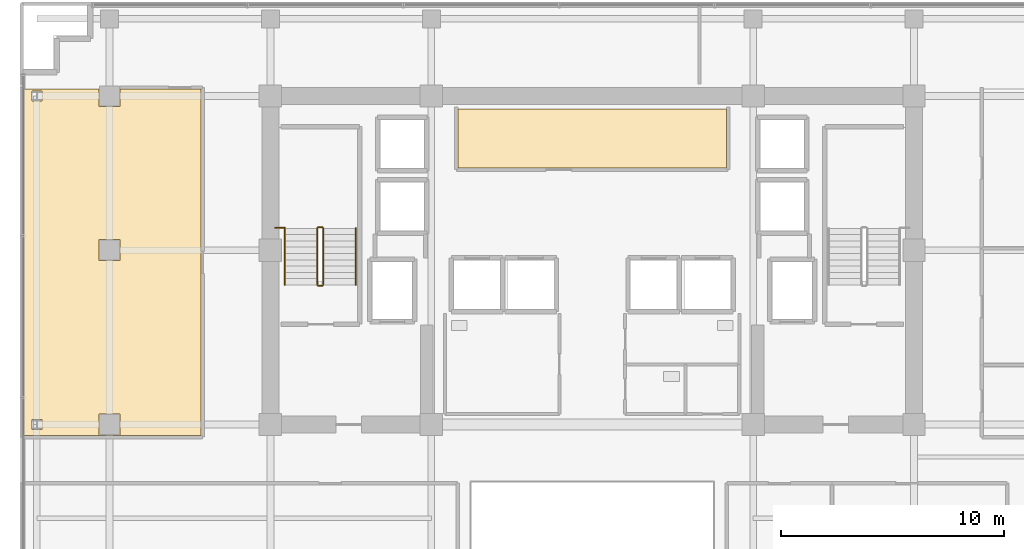
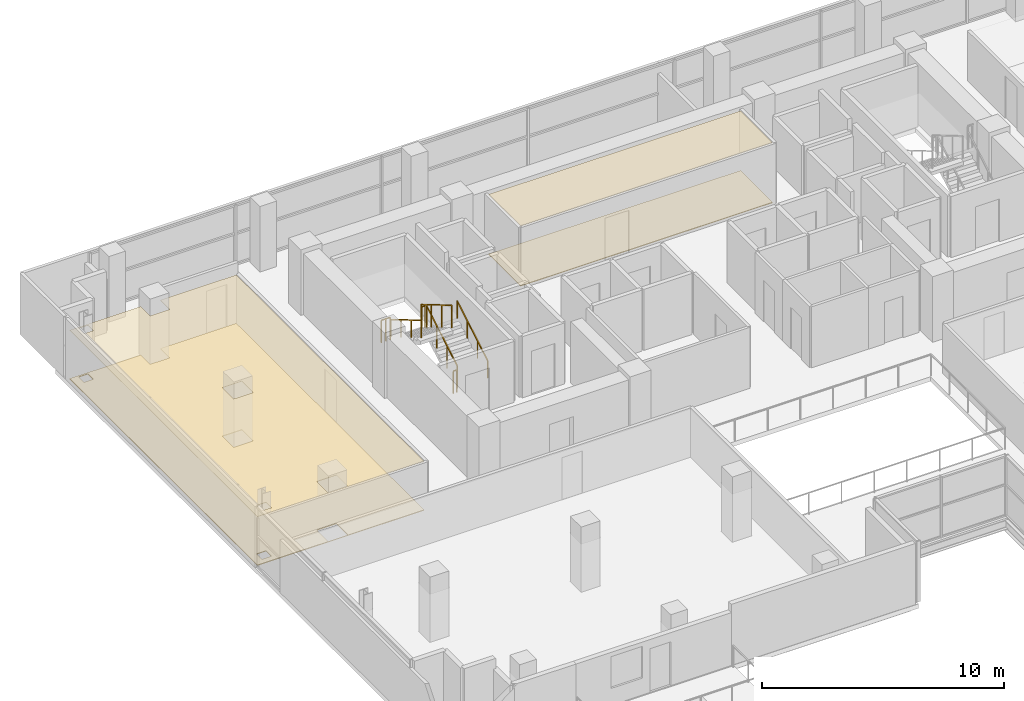
# One storey, part 22 of 25: 7 railings, 4 coverings.
"""IFC4 building model written with IfcOpenShell, lengths in metres."""

import ifcopenshell
import ifcopenshell.guid

model = None  # the IFC model being written
_history = None  # IfcOwnerHistory: only IFC2X3 demands one
_inside = {}  # id of a spatial element -> (the spatial element, [elements in it])
_under = {}  # id of a project, library or spatial element -> (it, [spatial elements below it])
_declared = {}  # id of a project -> (the project, [libraries it declares])
_typed = {}  # id of a type object -> (the type object, [elements of that type])
_made_of = {}  # id of a material, layer set ... -> (it, [elements and type objects made of it])


def new_model(schema):
    """Start an empty IFC model of exactly this schema.

    Asked for "IFC4X3", IfcOpenShell would pick the latest addendum, in which some entities
    have other attributes; the version numbers below select the first issue.
    IFC2X3 requires an IfcOwnerHistory on every rooted entity: one is made here for all.
    """
    global model, _history
    if schema == "IFC4X3":
        model = ifcopenshell.file(schema_version=(4, 3, 0, 0))
    else:
        model = ifcopenshell.file(schema=schema)
    _inside.clear()
    _under.clear()
    _declared.clear()
    _typed.clear()
    _made_of.clear()
    _history = None
    if model.schema == "IFC2X3":
        org = make("IfcOrganization", Name="unknown")
        user = make(
            "IfcPersonAndOrganization",
            ThePerson=make("IfcPerson", FamilyName="unknown"),
            TheOrganization=org,
        )
        app = make(
            "IfcApplication",
            ApplicationDeveloper=org,
            Version="unknown",
            ApplicationFullName="unknown",
            ApplicationIdentifier="unknown",
        )
        _history = make(
            "IfcOwnerHistory",
            OwningUser=user,
            OwningApplication=app,
            ChangeAction="ADDED",
            CreationDate=0,
        )
    return model


def make(cls, **values):
    """One entity of the class cls with the attributes given. An attribute that is None is left unset."""
    return model.create_entity(
        cls, **{name: value for name, value in values.items() if value is not None}
    )


def rooted(cls, **values):
    """An entity with a GlobalId (a new one), such as an element, a storey or a relation."""
    return make(cls, GlobalId=ifcopenshell.guid.new(), OwnerHistory=_history, **values)


def si_unit(unit_type, name, prefix=None):
    """IfcSIUnit, for example si_unit("LENGTHUNIT", "METRE", prefix="MILLI")."""
    return make("IfcSIUnit", UnitType=unit_type, Prefix=prefix, Name=name)


def assignment(units):
    """IfcUnitAssignment: the units of a project."""
    return None if units is None else make("IfcUnitAssignment", Units=units)


def point(xyz):
    """IfcCartesianPoint."""
    return None if xyz is None else make("IfcCartesianPoint", Coordinates=xyz)


def direction(xyz):
    """IfcDirection."""
    return None if xyz is None else make("IfcDirection", DirectionRatios=xyz)


def frame(location, z_axis=None, x_axis=None):
    """IfcAxis2Placement3D, a coordinate frame: its origin and axes. An axis left out is left unset."""
    return make(
        "IfcAxis2Placement3D",
        Location=point(location),
        Axis=direction(z_axis),
        RefDirection=direction(x_axis),
    )


def frame_2d(location, x_axis=None):
    """IfcAxis2Placement2D, a coordinate frame in the plane: its origin and x axis."""
    return make(
        "IfcAxis2Placement2D", Location=point(location), RefDirection=direction(x_axis)
    )


def origin():
    """The frame at (0, 0, 0) with its axes left unset."""
    return frame((0.0, 0.0, 0.0))


def origin_2d():
    """The frame at (0, 0) in the plane with its x axis left unset."""
    return frame_2d((0.0, 0.0))


def place(relative_to, where):
    """IfcLocalPlacement: puts the frame where relative to a parent placement (None: the world)."""
    return make(
        "IfcLocalPlacement", PlacementRelTo=relative_to, RelativePlacement=where
    )


def context(
    kind, dimensions, precision=None, world=None, true_north=None, identifier=None
):
    """IfcGeometricRepresentationContext, for example the 3D "Model" context."""
    return make(
        "IfcGeometricRepresentationContext",
        ContextIdentifier=identifier,
        ContextType=kind,
        CoordinateSpaceDimension=dimensions,
        Precision=precision,
        WorldCoordinateSystem=world,
        TrueNorth=true_north,
    )


def subcontext(parent, identifier, kind, view, scale=None):
    """IfcGeometricRepresentationSubContext, for example "Body" below "Model"."""
    return make(
        "IfcGeometricRepresentationSubContext",
        ContextIdentifier=identifier,
        ContextType=kind,
        ParentContext=parent,
        TargetScale=scale,
        TargetView=view,
    )


def project(units=None, contexts=None):
    """IfcProject with its units and contexts."""
    return rooted(
        "IfcProject",
        Name="project",
        RepresentationContexts=contexts,
        UnitsInContext=assignment(units),
    )


def spatial(cls, under=None, at=None, **own):
    """A site, building, storey or space (cls), placed at a placement, below another one or the project."""
    s = rooted(cls, ObjectPlacement=at, **own)
    if under is not None:
        _under.setdefault(under.id(), (under, []))[1].append(s)
    return s


def polyline(points):
    """IfcPolyline through the points."""
    return make("IfcPolyline", Points=[point(p) for p in points])


def profile(cls, at=None, kind="AREA", **sizes):
    """A parametric profile (cls). Its sizes go by their IFC names, for example OverallWidth=200.0."""
    return make(cls, ProfileType=kind, Position=at, **sizes)


def rectangle(**sizes):
    """IfcRectangleProfileDef."""
    return profile("IfcRectangleProfileDef", **sizes)


def outline(outer, holes=None, kind="AREA"):
    """IfcArbitraryClosedProfileDef: a profile drawn as a closed curve; with holes, ...WithVoids."""
    if holes is None:
        return make("IfcArbitraryClosedProfileDef", ProfileType=kind, OuterCurve=outer)
    return make(
        "IfcArbitraryProfileDefWithVoids",
        ProfileType=kind,
        OuterCurve=outer,
        InnerCurves=holes,
    )


def extrude(swept, where, along, depth):
    """IfcExtrudedAreaSolid: the profile swept, set in the frame where, extruded along a direction by depth."""
    return make(
        "IfcExtrudedAreaSolid",
        SweptArea=swept,
        Position=where,
        ExtrudedDirection=direction(along),
        Depth=depth,
    )


def shape(context_of_items, identifier, shape_type, items):
    """IfcShapeRepresentation: the items that make up one representation, for example the "Body"."""
    return make(
        "IfcShapeRepresentation",
        ContextOfItems=context_of_items,
        RepresentationIdentifier=identifier,
        RepresentationType=shape_type,
        Items=items,
    )


def material(Name=None, Category=None):
    """IfcMaterial."""
    return make("IfcMaterial", Name=Name, Category=Category)


def layer(
    of_material, thickness, ventilated=None, Name=None, Category=None, Priority=None
):
    """IfcMaterialLayer: one layer of a wall or slab, of a material (None: an air gap)."""
    return make(
        "IfcMaterialLayer",
        Material=of_material,
        LayerThickness=thickness,
        IsVentilated=ventilated,
        Name=Name,
        Category=Category,
        Priority=Priority,
    )


def layer_set(layers, Name=None):
    """IfcMaterialLayerSet."""
    return make("IfcMaterialLayerSet", MaterialLayers=layers, LayerSetName=Name)


def made_of(thing, what):
    """Note that an element or type object is made of a material, layer set ...; save() writes the relation."""
    if what is not None:
        _made_of.setdefault(what.id(), (what, []))[1].append(thing)
    return thing


def type_object(cls, material=None, **own):
    """A type object (cls), such as IfcWallType, which elements share."""
    return made_of(rooted(cls, **own), material)


def element(
    cls,
    number,
    at=None,
    inside=None,
    cuts=None,
    type_object=None,
    material=None,
    context=None,
    identifier="Body",
    shape_type=None,
    held_by="IfcProductDefinitionShape",
    body=None,
    shapes=None,
    **own,
):
    """One element of the class cls, such as IfcWall. Its Tag is "e" and its number.

    at: its placement. inside: the storey or other place that contains it. cuts: it is an
    opening in that element (IfcRelVoidsElement). A single representation is given by context,
    identifier, shape_type and body (its items); several are given by shapes. held_by: the class
    of the entity that holds the representations. save() writes the other relations.
    """
    e = rooted(cls, Tag="e%d" % number, ObjectPlacement=at, **own)
    if body is not None:
        shapes = [shape(context, identifier, shape_type, body)]
    if shapes is not None:
        e.Representation = make(held_by, Representations=shapes)
    if inside is not None:
        _inside.setdefault(inside.id(), (inside, []))[1].append(e)
    if cuts is not None:
        rooted(
            "IfcRelVoidsElement", RelatingBuildingElement=cuts, RelatedOpeningElement=e
        )
    if type_object is not None:
        _typed.setdefault(type_object.id(), (type_object, []))[1].append(e)
    return made_of(e, material)


def aggregate(whole, parts):
    """IfcRelAggregates: a whole, such as a stair, and the parts it consists of."""
    return rooted("IfcRelAggregates", RelatingObject=whole, RelatedObjects=parts)


def save(model, path):
    """Write the relations noted so far, then the file.

    IfcRelAggregates (storeys below a building ...), IfcRelContainedInSpatialStructure (elements
    in a storey), IfcRelDefinesByType, IfcRelAssociatesMaterial and IfcRelDeclares: one each for
    every whole, place, type object, material and project.
    """
    for whole, parts in _under.values():
        aggregate(whole, parts)
    for where, things in _inside.values():
        rooted(
            "IfcRelContainedInSpatialStructure",
            RelatedElements=things,
            RelatingStructure=where,
        )
    for kind, things in _typed.values():
        rooted("IfcRelDefinesByType", RelatedObjects=things, RelatingType=kind)
    for what, things in _made_of.values():
        rooted("IfcRelAssociatesMaterial", RelatedObjects=things, RelatingMaterial=what)
    for by, libraries in _declared.values():
        rooted("IfcRelDeclares", RelatingContext=by, RelatedDefinitions=libraries)
    model.write(path)


model = new_model("IFC4")

# Units and contexts
model_context = context("Model", 3, precision=1e-05, world=origin(), true_north=direction((0.0, 1.0)))
body_context = subcontext(model_context, "Body", "Model", "MODEL_VIEW")
ifc_project = project(units=[si_unit("LENGTHUNIT", "METRE"), si_unit("AREAUNIT", "SQUARE_METRE"), si_unit("VOLUMEUNIT", "CUBIC_METRE"), si_unit("PLANEANGLEUNIT", "RADIAN"), si_unit("MASSUNIT", "GRAM", prefix="KILO")], contexts=[model_context])

# Site, building, storey
site_placement = place(None, origin())
site = spatial("IfcSite", under=ifc_project, at=site_placement, CompositionType="ELEMENT")
building_placement = place(site_placement, origin())
building = spatial("IfcBuilding", under=site, at=building_placement, Name="Zarnakvel Exchange Tower", CompositionType="ELEMENT")
storey_placement = place(building_placement, frame((0.0, 0.0, 126.39990234375)))
storey = spatial("IfcBuildingStorey", under=building, at=storey_placement, Name="L35", CompositionType="ELEMENT", Elevation=126.39990234375)

# Coverings
ifc_material_1 = material(Name="Perforated Bronze Acoustic Metal Ceiling", Category="aluminium")
ifc_layer_1 = layer(ifc_material_1, 0.02001953125)
ifc_layer_set_1 = layer_set([ifc_layer_1], Name="Perforated Bronze Acoustic Metal Ceiling")
covering_type_1 = type_object("IfcCoveringType", Name="CLG-01", PredefinedType="CEILING", material=ifc_layer_set_1)
covering_1_placement = place(storey_placement, frame((0.0, 0.0, 3.01513671875)))
element("IfcCovering", 1, at=covering_1_placement, inside=storey, type_object=covering_type_1, Name="L35 Suspended Acoustic Ceiling (Market Data Archive Suite)", PredefinedType="CEILING", context=body_context, shape_type="SweptSolid", body=[
    extrude(outline(polyline([(-6.0, 12.919921875), (6.0, 12.919921875), (6.0, 10.280029296875), (-6.0, 10.280029296875), (-6.0, 12.919921875)])), origin(), (0.0, 0.0, 1.0), 0.02001953125),
])
covering_2_placement = place(storey_placement, frame((0.0, 0.0, 2.455078125)))
element("IfcCovering", 2, at=covering_2_placement, inside=storey, type_object=covering_type_1, Name="L35 Suspended Acoustic Ceiling (Executive Office)", PredefinedType="CEILING", context=body_context, shape_type="SweptSolid", body=[
    extrude(outline(polyline([(-25.449951171875, 13.800048828125), (-22.070068359375, 13.800048828125), (-22.070068359375, 13.030029296875), (-21.1298828125, 13.030029296875), (-21.1298828125, 13.800048828125), (-17.510009765625, 13.800048828125), (-17.510009765625, -1.68994140625), (-25.449951171875, -1.68994140625), (-25.449951171875, 13.800048828125)]), holes=[polyline([(-21.1298828125, 6.1298828125), (-21.1298828125, 7.070068359375), (-22.070068359375, 7.070068359375), (-22.070068359375, 6.1298828125), (-21.1298828125, 6.1298828125)]), polyline([(-21.1298828125, -1.669921875), (-21.1298828125, -0.72998046875), (-22.070068359375, -0.72998046875), (-22.070068359375, -1.669921875), (-21.1298828125, -1.669921875)]), polyline([(-24.6279296875, 13.276611328125), (-24.6279296875, 13.723388671875), (-25.072021484375, 13.723388671875), (-25.072021484375, 13.276611328125), (-24.6279296875, 13.276611328125)]), polyline([(-24.6279296875, -1.423583984375), (-24.6279296875, -0.9765625), (-25.072021484375, -0.9765625), (-25.072021484375, -1.423583984375), (-24.6279296875, -1.423583984375)])]), origin(), (0.0, 0.0, 1.0), 0.02001953125),
])
ifc_material_2 = material(Name="Heavy-Duty Raised Access Floor Panel", Category="steel")
ifc_layer_2 = layer(ifc_material_2, 0.034912109375)
ifc_layer_set_2 = layer_set([ifc_layer_2], Name="Heavy-Duty Raised Access Floor Panel")
covering_type_2 = type_object("IfcCoveringType", Name="FLR-02", PredefinedType="FLOORING", material=ifc_layer_set_2)
covering_3_placement = place(storey_placement, origin())
element("IfcCovering", 3, at=covering_3_placement, inside=storey, type_object=covering_type_2, Name="L35 Floor Finish (Market Data Archive Suite)", PredefinedType="FLOORING", context=body_context, shape_type="SweptSolid", body=[
    extrude(outline(polyline([(-6.0, 12.919921875), (6.0, 12.919921875), (6.0, 10.280029296875), (-6.0, 10.280029296875), (-6.0, 12.919921875)])), origin(), (0.0, 0.0, 1.0), 0.03515625),
])
covering_4_placement = place(storey_placement, origin())
element("IfcCovering", 4, at=covering_4_placement, inside=storey, type_object=covering_type_2, Name="L35 Floor Finish (Executive Office)", PredefinedType="FLOORING", context=body_context, shape_type="SweptSolid", body=[
    extrude(outline(polyline([(-25.449951171875, 13.800048828125), (-22.070068359375, 13.800048828125), (-22.070068359375, 13.030029296875), (-21.1298828125, 13.030029296875), (-21.1298828125, 13.800048828125), (-17.510009765625, 13.800048828125), (-17.510009765625, -1.68994140625), (-25.449951171875, -1.68994140625), (-25.449951171875, 13.800048828125)]), holes=[polyline([(-21.1298828125, 6.1298828125), (-21.1298828125, 7.070068359375), (-22.070068359375, 7.070068359375), (-22.070068359375, 6.1298828125), (-21.1298828125, 6.1298828125)]), polyline([(-21.1298828125, -1.669921875), (-21.1298828125, -0.72998046875), (-22.070068359375, -0.72998046875), (-22.070068359375, -1.669921875), (-21.1298828125, -1.669921875)]), polyline([(-24.6279296875, 13.276611328125), (-24.6279296875, 13.723388671875), (-25.072021484375, 13.723388671875), (-25.072021484375, 13.276611328125), (-24.6279296875, 13.276611328125)]), polyline([(-24.6279296875, -1.423583984375), (-24.6279296875, -0.9765625), (-25.072021484375, -0.9765625), (-25.072021484375, -1.423583984375), (-24.6279296875, -1.423583984375)])]), origin(), (0.0, 0.0, 1.0), 0.03515625),
])

# Railings
ifc_material_3 = material(Name="Brushed Stainless Steel", Category="steel")
railing_type_1 = type_object("IfcRailingType", Name="HR-01", PredefinedType="HANDRAIL", material=ifc_material_3)
railing_1_placement = place(storey_placement, frame((-10.590087890625, 5.050048828125, 0.1650390625)))
element("IfcRailing", 5, at=railing_1_placement, inside=storey, type_object=railing_type_1, Name="L35 ST-01 stair handrail 1", PredefinedType="HANDRAIL", context=body_context, shape_type="SweptSolid", body=[
    extrude(rectangle(XDim=0.048095703125, YDim=0.048095703125, at=origin_2d()), frame((0.0, 0.0, 0.8759765625), z_axis=(0.0, 0.86152411907, 0.507716645641), x_axis=(-1.0, 0.0, 0.0)), (0.0, 0.0, 1.0), 2.925048828125),
    extrude(rectangle(XDim=0.0419921875, YDim=0.0419921875, at=origin_2d()), origin(), (0.0, 0.0, 1.0), 0.851806640625),
    extrude(rectangle(XDim=0.0419921875, YDim=0.0419921875, at=origin_2d()), frame((0.0, 0.840087890625, 0.4951171875)), (0.0, 0.0, 1.0), 0.851806640625),
    extrude(rectangle(XDim=0.0419921875, YDim=0.0419921875, at=origin_2d()), frame((0.0, 1.679931640625, 0.989990234375)), (0.0, 0.0, 1.0), 0.851806640625),
    extrude(rectangle(XDim=0.0419921875, YDim=0.0419921875, at=origin_2d()), frame((0.0, 2.52001953125, 1.485107421875)), (0.0, 0.0, 1.0), 0.851806640625),
])
railing_2_placement = place(storey_placement, frame((-13.75, 7.570068359375, 1.815185546875)))
element("IfcRailing", 6, at=railing_2_placement, inside=storey, type_object=railing_type_1, Name="L35 ST-01 stair handrail 2", PredefinedType="HANDRAIL", context=body_context, shape_type="SweptSolid", body=[
    extrude(rectangle(XDim=0.048095703125, YDim=0.048095703125, at=origin_2d()), frame((0.0, 0.0, 0.8759765625), z_axis=(0.0, -0.861560626758, 0.507654692109), x_axis=(1.0, 0.0, 0.0)), (0.0, 0.0, 1.0), 2.925048828125),
    extrude(rectangle(XDim=0.0419921875, YDim=0.0419921875, at=origin_2d()), origin(), (0.0, 0.0, 1.0), 0.851806640625),
    extrude(rectangle(XDim=0.0419921875, YDim=0.0419921875, at=origin_2d()), frame((0.0, -0.840087890625, 0.494873046875)), (0.0, 0.0, 1.0), 0.851806640625),
    extrude(rectangle(XDim=0.0419921875, YDim=0.0419921875, at=origin_2d()), frame((0.0, -1.679931640625, 0.989990234375)), (0.0, 0.0, 1.0), 0.851806640625),
    extrude(rectangle(XDim=0.0419921875, YDim=0.0419921875, at=origin_2d()), frame((0.0, -2.52001953125, 1.48486328125)), (0.0, 0.0, 1.0), 0.851806640625),
])
ifc_material_4 = material(Name="Architectural Bronze Anodised Aluminium", Category="aluminium")
railing_type_2 = type_object("IfcRailingType", Name="SG-01", PredefinedType="GUARDRAIL", material=ifc_material_4)
railing_3_placement = place(storey_placement, frame((-12.0400390625, 5.050048828125, 0.1650390625)))
element("IfcRailing", 7, at=railing_3_placement, inside=storey, type_object=railing_type_2, Name="L35 ST-01 stair guard 1", PredefinedType="GUARDRAIL", context=body_context, shape_type="SweptSolid", body=[
    extrude(rectangle(XDim=0.048095703125, YDim=0.048095703125, at=origin_2d()), frame((0.0, 0.0, 1.1259765625), z_axis=(0.0, 0.86152411907, 0.507716645641), x_axis=(-1.0, 0.0, 0.0)), (0.0, 0.0, 1.0), 2.925048828125),
    extrude(rectangle(XDim=0.0419921875, YDim=0.0419921875, at=origin_2d()), origin(), (0.0, 0.0, 1.0), 1.101806640625),
    extrude(rectangle(XDim=0.0419921875, YDim=0.0419921875, at=origin_2d()), frame((0.0, 0.840087890625, 0.4951171875)), (0.0, 0.0, 1.0), 1.101806640625),
    extrude(rectangle(XDim=0.0419921875, YDim=0.0419921875, at=origin_2d()), frame((0.0, 1.679931640625, 0.989990234375)), (0.0, 0.0, 1.0), 1.101806640625),
    extrude(rectangle(XDim=0.0419921875, YDim=0.0419921875, at=origin_2d()), frame((0.0, 2.52001953125, 1.485107421875)), (0.0, 0.0, 1.0), 1.101806640625),
])
railing_4_placement = place(storey_placement, frame((-12.090087890625, 7.6201171875, 1.650146484375)))
element("IfcRailing", 8, at=railing_4_placement, inside=storey, type_object=railing_type_2, Name="L35 ST-01 stair guard 2", PredefinedType="GUARDRAIL", context=body_context, shape_type="SweptSolid", body=[
    extrude(rectangle(XDim=0.048095703125, YDim=0.048095703125, at=origin_2d()), frame((0.0, 0.0, 1.1259765625), z_axis=(-1.0, 0.0, 0.0), x_axis=(0.0, -1.0, 0.0)), (0.0, 0.0, 1.0), 0.159912109375),
    extrude(rectangle(XDim=0.0419921875, YDim=0.0419921875, at=origin_2d()), origin(), (0.0, 0.0, 1.0), 1.101806640625),
    extrude(rectangle(XDim=0.0419921875, YDim=0.0419921875, at=origin_2d()), frame((-0.159912109375, 0.0, 0.0)), (0.0, 0.0, 1.0), 1.101806640625),
])
railing_5_placement = place(storey_placement, frame((-12.300048828125, 7.570068359375, 1.815185546875)))
element("IfcRailing", 9, at=railing_5_placement, inside=storey, type_object=railing_type_2, Name="L35 ST-01 stair guard 3", PredefinedType="GUARDRAIL", context=body_context, shape_type="SweptSolid", body=[
    extrude(rectangle(XDim=0.048095703125, YDim=0.048095703125, at=origin_2d()), frame((0.0, 0.0, 1.1259765625), z_axis=(0.0, -0.861560626758, 0.507654692109), x_axis=(1.0, 0.0, 0.0)), (0.0, 0.0, 1.0), 2.925048828125),
    extrude(rectangle(XDim=0.0419921875, YDim=0.0419921875, at=origin_2d()), origin(), (0.0, 0.0, 1.0), 1.101806640625),
    extrude(rectangle(XDim=0.0419921875, YDim=0.0419921875, at=origin_2d()), frame((0.0, -0.840087890625, 0.494873046875)), (0.0, 0.0, 1.0), 1.101806640625),
    extrude(rectangle(XDim=0.0419921875, YDim=0.0419921875, at=origin_2d()), frame((0.0, -1.679931640625, 0.989990234375)), (0.0, 0.0, 1.0), 1.101806640625),
    extrude(rectangle(XDim=0.0419921875, YDim=0.0419921875, at=origin_2d()), frame((0.0, -2.52001953125, 1.48486328125)), (0.0, 0.0, 1.0), 1.101806640625),
])
railing_6_placement = place(storey_placement, frame((-12.090087890625, 5.0, 0.0)))
element("IfcRailing", 10, at=railing_6_placement, inside=storey, type_object=railing_type_2, Name="L35 ST-01 stair guard 4", PredefinedType="GUARDRAIL", context=body_context, shape_type="SweptSolid", body=[
    extrude(rectangle(XDim=0.048095703125, YDim=0.048095703125, at=origin_2d()), frame((0.0, 0.0, 1.1259765625), z_axis=(-1.0, 0.0, 0.0), x_axis=(0.0, -1.0, 0.0)), (0.0, 0.0, 1.0), 0.159912109375),
    extrude(rectangle(XDim=0.0419921875, YDim=0.0419921875, at=origin_2d()), origin(), (0.0, 0.0, 1.0), 1.101806640625),
    extrude(rectangle(XDim=0.0419921875, YDim=0.0419921875, at=origin_2d()), frame((-0.159912109375, 0.0, 0.0)), (0.0, 0.0, 1.0), 1.101806640625),
])
railing_7_placement = place(storey_placement, frame((-14.179931640625, 7.610107421875, 1.650146484375)))
element("IfcRailing", 11, at=railing_7_placement, inside=storey, type_object=railing_type_2, Name="L35 ST-01 Landing Slot Guardrail", PredefinedType="GUARDRAIL", context=body_context, shape_type="SweptSolid", body=[
    extrude(rectangle(XDim=0.048095703125, YDim=0.048095703125, at=origin_2d()), frame((0.0, 0.0, 1.1259765625), z_axis=(1.0, 0.0, 0.0), x_axis=(0.0, 1.0, 0.0)), (0.0, 0.0, 1.0), 0.429931640625),
    extrude(rectangle(XDim=0.0419921875, YDim=0.0419921875, at=origin_2d()), origin(), (0.0, 0.0, 1.0), 1.101806640625),
    extrude(rectangle(XDim=0.0419921875, YDim=0.0419921875, at=origin_2d()), frame((0.21484375, 0.0, 0.0)), (0.0, 0.0, 1.0), 1.101806640625),
    extrude(rectangle(XDim=0.0419921875, YDim=0.0419921875, at=origin_2d()), frame((0.429931640625, 0.0, 0.0)), (0.0, 0.0, 1.0), 1.101806640625),
])

save(model, "model.ifc")
